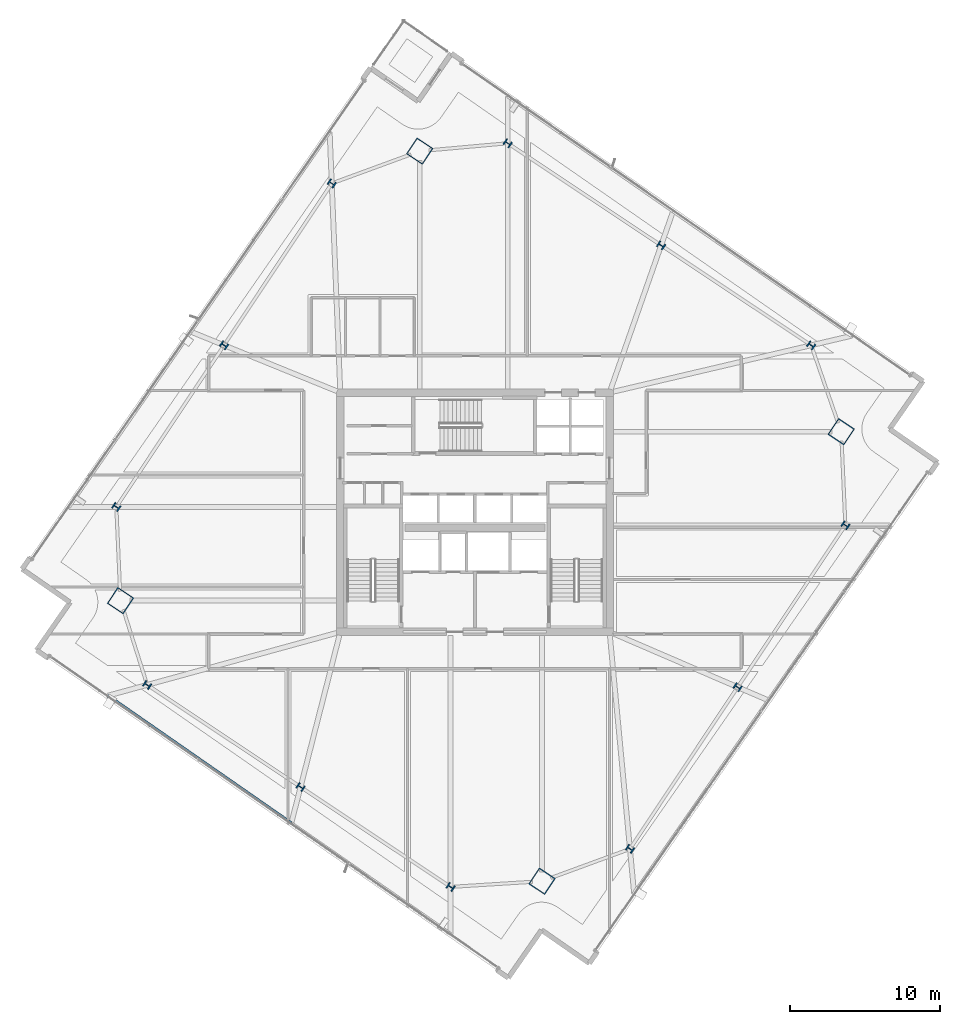
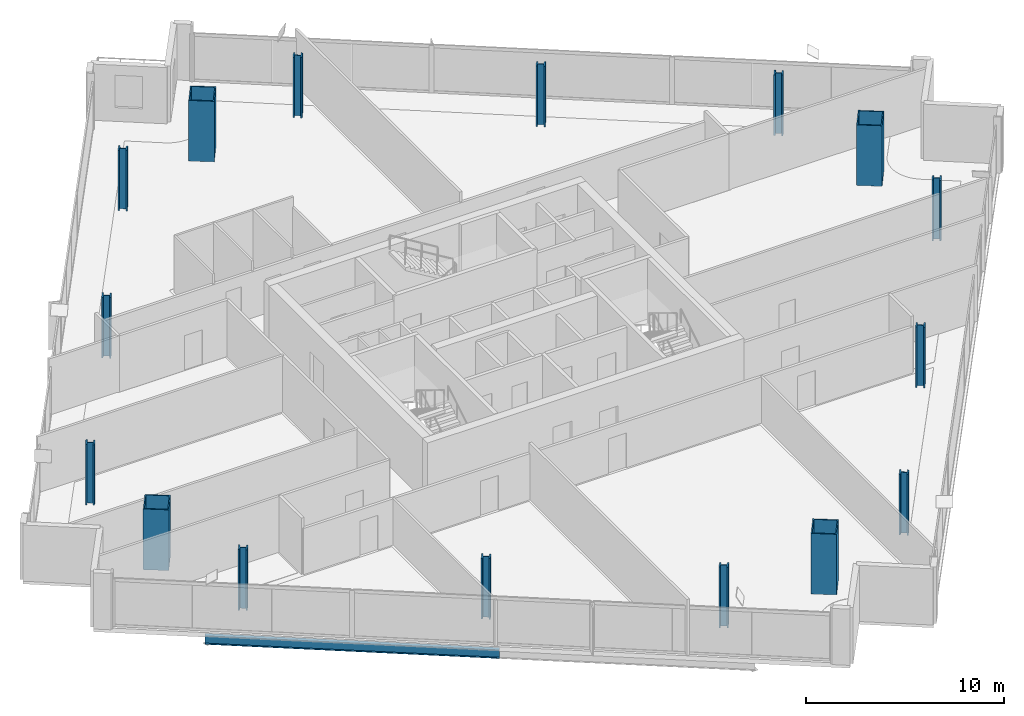
# One storey, part 1 of 30: 16 columns, 1 beam.
"""IFC4 building model written with IfcOpenShell, lengths in metres."""

from ifc_helpers import new_model, si_unit, direction, frame, origin, origin_2d, place, context, subcontext, project, spatial, hollow_rectangle, i_section, extrude, material, material_profile, profile_set, type_object, element, save


model = new_model("IFC4")

# Units and contexts
model_context = context("Model", 3, precision=1e-05, world=origin(), true_north=direction((0.0, 1.0)))
body_context = subcontext(model_context, "Body", "Model", "MODEL_VIEW")
ifc_project = project(units=[si_unit("LENGTHUNIT", "METRE"), si_unit("AREAUNIT", "SQUARE_METRE"), si_unit("VOLUMEUNIT", "CUBIC_METRE"), si_unit("PLANEANGLEUNIT", "RADIAN"), si_unit("MASSUNIT", "GRAM", prefix="KILO")], contexts=[model_context])

# Site, building, storey
site_placement = place(None, origin())
site = spatial("IfcSite", under=ifc_project, at=site_placement, CompositionType="ELEMENT")
building_placement = place(site_placement, origin())
building = spatial("IfcBuilding", under=site, at=building_placement, Name="Haldenkirk Collegiate Tower", CompositionType="ELEMENT")
storey_placement = place(building_placement, frame((0.0, 0.0, 213.449951171875)))
storey = spatial("IfcBuildingStorey", under=building, at=storey_placement, Name="L53", CompositionType="ELEMENT", Elevation=213.449951171875)

# Columns
ifc_material_1 = material(Name="Steel ASTM A913 Grade 65", Category="steel")
ifc_material_profile_1 = material_profile(ifc_material_1, i_section(OverallWidth=0.424072265625, OverallDepth=0.47412109375, WebThickness=0.047607421875, FlangeThickness=0.0771484375, at=origin_2d()), Name="W14X426")
ifc_profile_set_1 = profile_set([ifc_material_profile_1], Name="Steel ASTM A913 Grade 65")
column_type_1 = type_object("IfcColumnType", Name="COL-INT-W14X426", PredefinedType="COLUMN", material=ifc_profile_set_1)
for number, where, z_axis, x_axis, name in (
    (1, (46.363037109375, 3.48974609375, 0.0), (0.0, 0.0, 1.0), (0.554118199338, 0.832437998389, 0.0), "L53 perimeter gravity column PC-S1"),
    (2, (53.564453125, 14.30810546875, 0.0), (0.0, 0.0, 1.0), (0.554118199338, 0.832437998389, 0.0), "L53 perimeter gravity column PC-S2"),
    (3, (60.765869140625, 25.12646484375, 0.0), (0.0, 0.0, 1.0), (0.554118199338, 0.832437998389, 0.0), "L53 perimeter gravity column PC-S3"),
    (4, (58.48095703125, 37.16357421875, 0.0), (0.0, 0.0, 1.0), (0.554118199338, 0.832437998389, 0.0), "L53 perimeter gravity column PC-E1"),
    (5, (48.447509765625, 43.84228515625, 0.0), (0.0, 0.0, 1.0), (0.554118199338, 0.832437998389, 0.0), "L53 perimeter gravity column PC-E2"),
    (6, (38.192626953125, 50.66845703125, 0.0), (0.0, 0.0, 1.0), (0.554118199338, 0.832437998389, 0.0), "L53 perimeter gravity column PC-E3"),
    (7, (26.427734375, 47.98388671875, 0.0), (0.0, 0.0, 1.0), (0.554118199338, 0.832437998389, 0.0), "L53 perimeter gravity column PC-N1"),
    (8, (19.226318359375, 37.16552734375, 0.0), (0.0, 0.0, 1.0), (0.554118199338, 0.832437998389, 0.0), "L53 perimeter gravity column PC-N2"),
    (9, (12.025146484375, 26.34716796875, 0.0), (0.0, 0.0, 1.0), (0.554118199338, 0.832437998389, 0.0), "L53 perimeter gravity column PC-N3"),
    (10, (14.08837890625, 14.45751953125, 0.0), (0.0, 0.0, 1.0), (0.554118199338, 0.832437998389, 0.0), "L53 perimeter gravity column PC-W1"),
    (11, (24.34326171875, 7.63134765625, 0.0), (0.0, 0.0, 1.0), (0.554118199338, 0.832437998389, 0.0), "L53 perimeter gravity column PC-W2"),
    (12, (34.376708984375, 0.952392578125, 0.0), (0.0, 0.0, 1.0), (0.554118199338, 0.832437998389, 0.0), "L53 perimeter gravity column PC-W3"),
):
    element("IfcColumn", number, at=place(storey_placement, frame(where, z_axis=z_axis, x_axis=x_axis)), inside=storey, type_object=column_type_1, Name=name, PredefinedType="COLUMN", context=body_context, shape_type="SweptSolid", body=[
        extrude(i_section(OverallWidth=0.424072265625, OverallDepth=0.47412109375, WebThickness=0.047607421875, FlangeThickness=0.0771484375, at=origin_2d()), origin(), (0.0, 0.0, 1.0), 3.75),
    ])
ifc_material_2 = material(Name="Steel ASTM A572 Grade 50", Category="steel")
ifc_material_profile_2 = material_profile(ifc_material_2, hollow_rectangle(XDim=1.300048828125, YDim=1.300048828125, WallThickness=0.06005859375, at=origin_2d()), Name="BOX1300X1300X60")
ifc_profile_set_2 = profile_set([ifc_material_profile_2], Name="Steel ASTM A572 Grade 50")
column_type_2 = type_object("IfcColumnType", Name="COL-MEGA-BOX1300X1300X60", PredefinedType="COLUMN", material=ifc_profile_set_2)
for number, where, z_axis, x_axis, name in (
    (13, (40.482666015625, 1.332763671875, 0.0), (0.0, 0.0, 1.0), (0.554118199338, 0.832437998389, 0.0), "L53 corner mega-column MC1"),
    (14, (60.486328125, 31.3837890625, 0.0), (0.0, 0.0, 1.0), (0.554118199338, 0.832437998389, 0.0), "L53 corner mega-column MC2"),
    (15, (32.30810546875, 50.140869140625, 0.0), (0.0, 0.0, 1.0), (0.554118199338, 0.832437998389, 0.0), "L53 corner mega-column MC3"),
    (16, (12.3046875, 20.089599609375, 0.0), (0.0, 0.0, 1.0), (0.554118199338, 0.832437998389, 0.0), "L53 corner mega-column MC4"),
):
    element("IfcColumn", number, at=place(storey_placement, frame(where, z_axis=z_axis, x_axis=x_axis)), inside=storey, type_object=column_type_2, Name=name, PredefinedType="COLUMN", context=body_context, shape_type="SweptSolid", body=[
        extrude(hollow_rectangle(XDim=1.300048828125, YDim=1.300048828125, WallThickness=0.06005859375, at=origin_2d()), origin(), (0.0, 0.0, 1.0), 3.75),
    ])

# Beam
ifc_material_3 = material(Name="Steel ASTM A992 Grade 50", Category="steel")
ifc_material_profile_3 = material_profile(ifc_material_3, i_section(OverallWidth=0.2099609375, OverallDepth=0.537109375, WebThickness=0.010986328125, FlangeThickness=0.017333984375, at=origin_2d()), Name="W21X68")
ifc_profile_set_3 = profile_set([ifc_material_profile_3], Name="Steel ASTM A992 Grade 50")
beam_type = type_object("IfcBeamType", Name="BM-SPANDREL-W21X68", PredefinedType="SPANDREL", material=ifc_profile_set_3)
beam_placement = place(storey_placement, frame((11.45458984375, 13.734619140625, -0.54833984375), z_axis=(0.821156597784, -0.570702936663, 0.0), x_axis=(0.570702936663, 0.821156597784, 0.0)))
element("IfcBeam", 17, at=beam_placement, inside=storey, type_object=beam_type, Name="L53 outer facade edge beam 4A", PredefinedType="SPANDREL", context=body_context, shape_type="SweptSolid", body=[
    extrude(i_section(OverallWidth=0.2099609375, OverallDepth=0.537109375, WebThickness=0.010986328125, FlangeThickness=0.017333984375, at=origin_2d()), origin(), (0.0, 0.0, 1.0), 14.939697265625),
])

save(model, "model.ifc")
